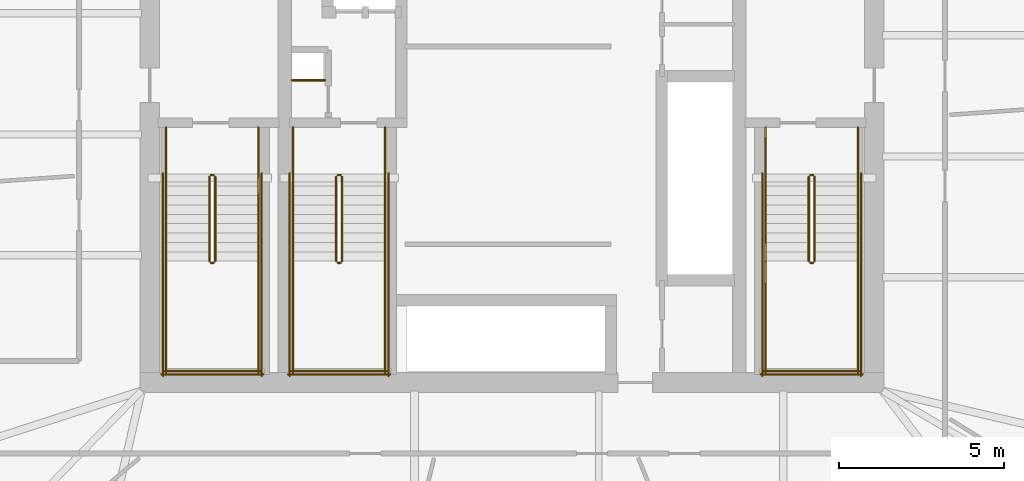
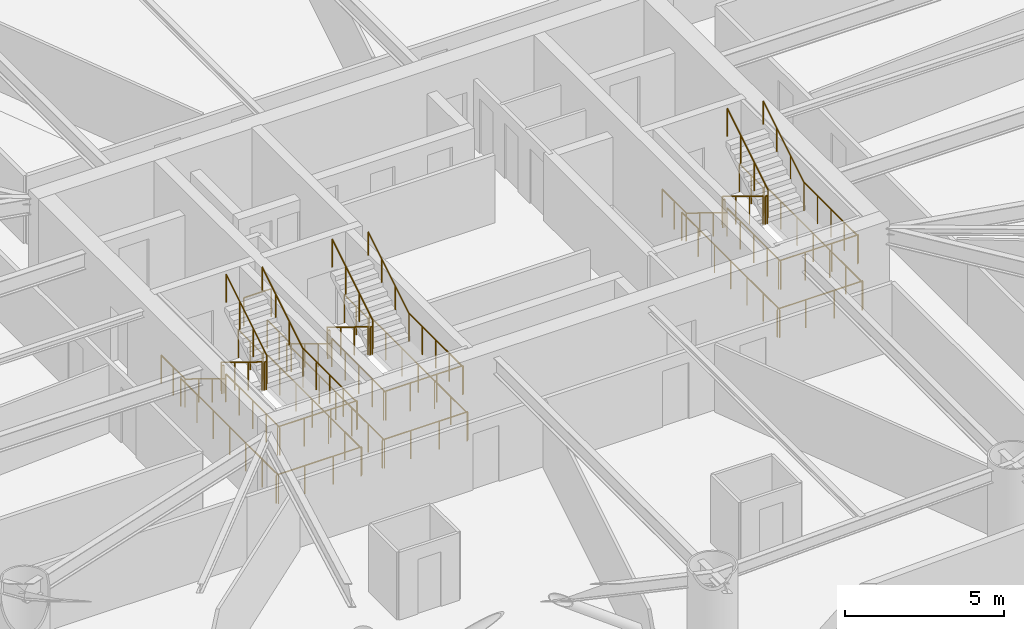
# One storey, part 24 of 25: 43 railings.
"""IFC4 building model written with IfcOpenShell, lengths in metres."""

from ifc_helpers import new_model, si_unit, direction, frame, origin, origin_2d, place, context, subcontext, project, spatial, circle, extrude, material, type_object, element, save


model = new_model("IFC4")

# Units and contexts
model_context = context("Model", 3, precision=1e-05, world=origin(), true_north=direction((0.0, 1.0)))
body_context = subcontext(model_context, "Body", "Model", "MODEL_VIEW")
ifc_project = project(units=[si_unit("LENGTHUNIT", "METRE"), si_unit("AREAUNIT", "SQUARE_METRE"), si_unit("VOLUMEUNIT", "CUBIC_METRE"), si_unit("PLANEANGLEUNIT", "RADIAN"), si_unit("MASSUNIT", "GRAM", prefix="KILO")], contexts=[model_context])

# Site, building, storey
site_placement = place(None, origin())
site = spatial("IfcSite", under=ifc_project, at=site_placement, CompositionType="ELEMENT")
building_placement = place(site_placement, origin())
building = spatial("IfcBuilding", under=site, at=building_placement, Name="Bramvorn Convention Spire", CompositionType="ELEMENT")
storey_placement = place(building_placement, frame((0.0, 0.0, 55.39990234375)))
storey = spatial("IfcBuildingStorey", under=building, at=storey_placement, Name="L11", CompositionType="ELEMENT", Elevation=55.39990234375)

# Railings
ifc_material_1 = material(Name="Painted Steel Balustrade & Guardrail", Category="steel")
railing_type_1 = type_object("IfcRailingType", Name="RL-STAIR-GUARD-1100", PredefinedType="GUARDRAIL", material=ifc_material_1)
railing_1_placement = place(storey_placement, frame((28.81005859375, 25.050048828125, 0.175048828125)))
element("IfcRailing", 1, at=railing_1_placement, inside=storey, type_object=railing_type_1, Name="L11 ST1 stair guard 1", PredefinedType="GUARDRAIL", context=body_context, shape_type="SweptSolid", body=[
    extrude(circle(Radius=0.02392578125, at=origin_2d()), frame((0.0, 0.0, 1.076171875), z_axis=(0.0, -0.852173129349, 0.523259933127), x_axis=(1.0, 0.0, 0.0)), (0.0, 0.0, 1.0), 3.009765625),
    extrude(circle(Radius=0.02099609375, at=origin_2d()), origin(), (0.0, 0.0, 1.0), 1.052001953125),
    extrude(circle(Radius=0.02099609375, at=origin_2d()), frame((0.0, -0.85498046875, 0.52490234375)), (0.0, 0.0, 1.0), 1.052001953125),
    extrude(circle(Radius=0.02099609375, at=origin_2d()), frame((0.0, -1.7099609375, 1.050048828125)), (0.0, 0.0, 1.0), 1.052001953125),
    extrude(circle(Radius=0.02099609375, at=origin_2d()), frame((0.0, -2.56494140625, 1.574951171875)), (0.0, 0.0, 1.0), 1.052001953125),
])
railing_2_placement = place(storey_placement, frame((28.860107421875, 22.43505859375, 1.75)))
element("IfcRailing", 2, at=railing_2_placement, inside=storey, type_object=railing_type_1, Name="L11 ST1 stair guard 2", PredefinedType="GUARDRAIL", context=body_context, shape_type="SweptSolid", body=[
    extrude(circle(Radius=0.02392578125, at=origin_2d()), frame((0.0, 0.0, 1.076171875), z_axis=(1.0, 0.0, 0.0), x_axis=(0.0, 1.0, 0.0)), (0.0, 0.0, 1.0), 0.079833984375),
    extrude(circle(Radius=0.02099609375, at=origin_2d()), origin(), (0.0, 0.0, 1.0), 1.052001953125),
    extrude(circle(Radius=0.02099609375, at=origin_2d()), frame((0.079833984375, 0.0, 0.0)), (0.0, 0.0, 1.0), 1.052001953125),
])
for number, where, name in (
    (3, (27.5, 22.485107421875, 1.75), "L11 ST1 stair guard 3"),
    (4, (30.300048828125, 22.485107421875, 1.75), "L11 ST1 stair guard 4"),
):
    element("IfcRailing", number, at=place(storey_placement, frame(where)), inside=storey, type_object=railing_type_1, Name=name, PredefinedType="GUARDRAIL", context=body_context, shape_type="SweptSolid", body=[
        extrude(circle(Radius=0.02392578125, at=origin_2d()), frame((0.0, 0.0, 1.076171875), z_axis=(0.0, -1.0, 0.0), x_axis=(1.0, 0.0, 0.0)), (0.0, 0.0, 1.0), 3.385009765625),
        extrude(circle(Radius=0.02099609375, at=origin_2d()), origin(), (0.0, 0.0, 1.0), 1.052001953125),
        extrude(circle(Radius=0.02099609375, at=origin_2d()), frame((0.0, -0.84619140625, 0.0)), (0.0, 0.0, 1.0), 1.052001953125),
        extrude(circle(Radius=0.02099609375, at=origin_2d()), frame((0.0, -1.6923828125, 0.0)), (0.0, 0.0, 1.0), 1.052001953125),
        extrude(circle(Radius=0.02099609375, at=origin_2d()), frame((0.0, -2.538818359375, 0.0)), (0.0, 0.0, 1.0), 1.052001953125),
        extrude(circle(Radius=0.02099609375, at=origin_2d()), frame((0.0, -3.385009765625, 0.0)), (0.0, 0.0, 1.0), 1.052001953125),
    ])
railing_3_placement = place(storey_placement, frame((27.449951171875, 19.14990234375, 1.75)))
element("IfcRailing", 5, at=railing_3_placement, inside=storey, type_object=railing_type_1, Name="L11 ST1 stair guard 5", PredefinedType="GUARDRAIL", context=body_context, shape_type="SweptSolid", body=[
    extrude(circle(Radius=0.02392578125, at=origin_2d()), frame((0.0, 0.0, 1.076171875), z_axis=(1.0, 0.0, 0.0), x_axis=(0.0, 1.0, 0.0)), (0.0, 0.0, 1.0), 2.900146484375),
    extrude(circle(Radius=0.02099609375, at=origin_2d()), origin(), (0.0, 0.0, 1.0), 1.052001953125),
    extrude(circle(Radius=0.02099609375, at=origin_2d()), frame((0.966796875, 0.0, 0.0)), (0.0, 0.0, 1.0), 1.052001953125),
    extrude(circle(Radius=0.02099609375, at=origin_2d()), frame((1.933349609375, 0.0, 0.0)), (0.0, 0.0, 1.0), 1.052001953125),
    extrude(circle(Radius=0.02099609375, at=origin_2d()), frame((2.900146484375, 0.0, 0.0)), (0.0, 0.0, 1.0), 1.052001953125),
])
railing_4_placement = place(storey_placement, frame((28.989990234375, 22.485107421875, 1.925048828125)))
element("IfcRailing", 6, at=railing_4_placement, inside=storey, type_object=railing_type_1, Name="L11 ST1 stair guard 6", PredefinedType="GUARDRAIL", context=body_context, shape_type="SweptSolid", body=[
    extrude(circle(Radius=0.02392578125, at=origin_2d()), frame((0.0, 0.0, 1.076171875), z_axis=(0.0, 0.852173129349, 0.523259933127), x_axis=(-1.0, 0.0, 0.0)), (0.0, 0.0, 1.0), 3.009765625),
    extrude(circle(Radius=0.02099609375, at=origin_2d()), origin(), (0.0, 0.0, 1.0), 1.052001953125),
    extrude(circle(Radius=0.02099609375, at=origin_2d()), frame((0.0, 0.85498046875, 0.52490234375)), (0.0, 0.0, 1.0), 1.052001953125),
    extrude(circle(Radius=0.02099609375, at=origin_2d()), frame((0.0, 1.7099609375, 1.050048828125)), (0.0, 0.0, 1.0), 1.052001953125),
    extrude(circle(Radius=0.02099609375, at=origin_2d()), frame((0.0, 2.56494140625, 1.574951171875)), (0.0, 0.0, 1.0), 1.052001953125),
])
railing_5_placement = place(storey_placement, frame((28.860107421875, 25.10009765625, 0.0)))
element("IfcRailing", 7, at=railing_5_placement, inside=storey, type_object=railing_type_1, Name="L11 ST1 stair guard 7", PredefinedType="GUARDRAIL", context=body_context, shape_type="SweptSolid", body=[
    extrude(circle(Radius=0.02392578125, at=origin_2d()), frame((0.0, 0.0, 1.076171875), z_axis=(1.0, 0.0, 0.0), x_axis=(0.0, 1.0, 0.0)), (0.0, 0.0, 1.0), 0.079833984375),
    extrude(circle(Radius=0.02099609375, at=origin_2d()), origin(), (0.0, 0.0, 1.0), 1.052001953125),
    extrude(circle(Radius=0.02099609375, at=origin_2d()), frame((0.079833984375, 0.0, 0.0)), (0.0, 0.0, 1.0), 1.052001953125),
])
for number, where, name in (
    (8, (27.5, 26.550048828125, 0.0), "L11 ST1 stair guard 8"),
    (9, (30.300048828125, 26.550048828125, 0.0), "L11 ST1 stair guard 9"),
):
    element("IfcRailing", number, at=place(storey_placement, frame(where)), inside=storey, type_object=railing_type_1, Name=name, PredefinedType="GUARDRAIL", context=body_context, shape_type="SweptSolid", body=[
        extrude(circle(Radius=0.02392578125, at=origin_2d()), frame((0.0, 0.0, 1.076171875), z_axis=(0.0, -1.0, 0.0), x_axis=(1.0, 0.0, 0.0)), (0.0, 0.0, 1.0), 1.5),
        extrude(circle(Radius=0.02099609375, at=origin_2d()), origin(), (0.0, 0.0, 1.0), 1.052001953125),
        extrude(circle(Radius=0.02099609375, at=origin_2d()), frame((0.0, -0.75, 0.0)), (0.0, 0.0, 1.0), 1.052001953125),
        extrude(circle(Radius=0.02099609375, at=origin_2d()), frame((0.0, -1.5, 0.0)), (0.0, 0.0, 1.0), 1.052001953125),
    ])
for number, where, name in (
    (10, (27.39990234375, 25.14990234375, 0.0), "L11 ST1 stair guard 10"),
    (11, (30.39990234375, 25.14990234375, 0.0), "L11 ST1 stair guard 11"),
):
    element("IfcRailing", number, at=place(storey_placement, frame(where)), inside=storey, type_object=railing_type_1, Name=name, PredefinedType="GUARDRAIL", context=body_context, shape_type="SweptSolid", body=[
        extrude(circle(Radius=0.02392578125, at=origin_2d()), frame((0.0, 0.0, 1.076171875), z_axis=(0.0, -1.0, 0.0), x_axis=(1.0, 0.0, 0.0)), (0.0, 0.0, 1.0), 6.14990234375),
        extrude(circle(Radius=0.02099609375, at=origin_2d()), origin(), (0.0, 0.0, 1.0), 1.052001953125),
        extrude(circle(Radius=0.02099609375, at=origin_2d()), frame((0.0, -1.02490234375, 0.0)), (0.0, 0.0, 1.0), 1.052001953125),
        extrude(circle(Radius=0.02099609375, at=origin_2d()), frame((0.0, -2.050048828125, 0.0)), (0.0, 0.0, 1.0), 1.052001953125),
        extrude(circle(Radius=0.02099609375, at=origin_2d()), frame((0.0, -3.074951171875, 0.0)), (0.0, 0.0, 1.0), 1.052001953125),
        extrude(circle(Radius=0.02099609375, at=origin_2d()), frame((0.0, -4.099853515625, 0.0)), (0.0, 0.0, 1.0), 1.052001953125),
        extrude(circle(Radius=0.02099609375, at=origin_2d()), frame((0.0, -5.125, 0.0)), (0.0, 0.0, 1.0), 1.052001953125),
        extrude(circle(Radius=0.02099609375, at=origin_2d()), frame((0.0, -6.14990234375, 0.0)), (0.0, 0.0, 1.0), 1.052001953125),
    ])
railing_6_placement = place(storey_placement, frame((27.35009765625, 19.050048828125, 0.0)))
element("IfcRailing", 12, at=railing_6_placement, inside=storey, type_object=railing_type_1, Name="L11 ST1 stair guard 12", PredefinedType="GUARDRAIL", context=body_context, shape_type="SweptSolid", body=[
    extrude(circle(Radius=0.02392578125, at=origin_2d()), frame((0.0, 0.0, 1.076171875), z_axis=(1.0, 0.0, 0.0), x_axis=(0.0, 1.0, 0.0)), (0.0, 0.0, 1.0), 3.099853515625),
    extrude(circle(Radius=0.02099609375, at=origin_2d()), origin(), (0.0, 0.0, 1.0), 1.052001953125),
    extrude(circle(Radius=0.02099609375, at=origin_2d()), frame((1.033203125, 0.0, 0.0)), (0.0, 0.0, 1.0), 1.052001953125),
    extrude(circle(Radius=0.02099609375, at=origin_2d()), frame((2.066650390625, 0.0, 0.0)), (0.0, 0.0, 1.0), 1.052001953125),
    extrude(circle(Radius=0.02099609375, at=origin_2d()), frame((3.099853515625, 0.0, 0.0)), (0.0, 0.0, 1.0), 1.052001953125),
])
railing_7_placement = place(storey_placement, frame((47.010009765625, 25.050048828125, 0.175048828125)))
element("IfcRailing", 13, at=railing_7_placement, inside=storey, type_object=railing_type_1, Name="L11 ST2 stair guard 1", PredefinedType="GUARDRAIL", context=body_context, shape_type="SweptSolid", body=[
    extrude(circle(Radius=0.02392578125, at=origin_2d()), frame((0.0, 0.0, 1.076171875), z_axis=(0.0, -0.852173129349, 0.523259933127), x_axis=(1.0, 0.0, 0.0)), (0.0, 0.0, 1.0), 3.009765625),
    extrude(circle(Radius=0.02099609375, at=origin_2d()), origin(), (0.0, 0.0, 1.0), 1.052001953125),
    extrude(circle(Radius=0.02099609375, at=origin_2d()), frame((0.0, -0.85498046875, 0.52490234375)), (0.0, 0.0, 1.0), 1.052001953125),
    extrude(circle(Radius=0.02099609375, at=origin_2d()), frame((0.0, -1.7099609375, 1.050048828125)), (0.0, 0.0, 1.0), 1.052001953125),
    extrude(circle(Radius=0.02099609375, at=origin_2d()), frame((0.0, -2.56494140625, 1.574951171875)), (0.0, 0.0, 1.0), 1.052001953125),
])
railing_8_placement = place(storey_placement, frame((47.06005859375, 22.43505859375, 1.75)))
element("IfcRailing", 14, at=railing_8_placement, inside=storey, type_object=railing_type_1, Name="L11 ST2 stair guard 2", PredefinedType="GUARDRAIL", context=body_context, shape_type="SweptSolid", body=[
    extrude(circle(Radius=0.02392578125, at=origin_2d()), frame((0.0, 0.0, 1.076171875), z_axis=(1.0, 0.0, 0.0), x_axis=(0.0, 1.0, 0.0)), (0.0, 0.0, 1.0), 0.079833984375),
    extrude(circle(Radius=0.02099609375, at=origin_2d()), origin(), (0.0, 0.0, 1.0), 1.052001953125),
    extrude(circle(Radius=0.02099609375, at=origin_2d()), frame((0.079833984375, 0.0, 0.0)), (0.0, 0.0, 1.0), 1.052001953125),
])
for number, where, name in (
    (15, (45.699951171875, 22.485107421875, 1.75), "L11 ST2 stair guard 3"),
    (16, (48.5, 22.485107421875, 1.75), "L11 ST2 stair guard 4"),
):
    element("IfcRailing", number, at=place(storey_placement, frame(where)), inside=storey, type_object=railing_type_1, Name=name, PredefinedType="GUARDRAIL", context=body_context, shape_type="SweptSolid", body=[
        extrude(circle(Radius=0.02392578125, at=origin_2d()), frame((0.0, 0.0, 1.076171875), z_axis=(0.0, -1.0, 0.0), x_axis=(1.0, 0.0, 0.0)), (0.0, 0.0, 1.0), 3.385009765625),
        extrude(circle(Radius=0.02099609375, at=origin_2d()), origin(), (0.0, 0.0, 1.0), 1.052001953125),
        extrude(circle(Radius=0.02099609375, at=origin_2d()), frame((0.0, -0.84619140625, 0.0)), (0.0, 0.0, 1.0), 1.052001953125),
        extrude(circle(Radius=0.02099609375, at=origin_2d()), frame((0.0, -1.6923828125, 0.0)), (0.0, 0.0, 1.0), 1.052001953125),
        extrude(circle(Radius=0.02099609375, at=origin_2d()), frame((0.0, -2.538818359375, 0.0)), (0.0, 0.0, 1.0), 1.052001953125),
        extrude(circle(Radius=0.02099609375, at=origin_2d()), frame((0.0, -3.385009765625, 0.0)), (0.0, 0.0, 1.0), 1.052001953125),
    ])
railing_9_placement = place(storey_placement, frame((45.64990234375, 19.14990234375, 1.75)))
element("IfcRailing", 17, at=railing_9_placement, inside=storey, type_object=railing_type_1, Name="L11 ST2 stair guard 5", PredefinedType="GUARDRAIL", context=body_context, shape_type="SweptSolid", body=[
    extrude(circle(Radius=0.02392578125, at=origin_2d()), frame((0.0, 0.0, 1.076171875), z_axis=(1.0, 0.0, 0.0), x_axis=(0.0, 1.0, 0.0)), (0.0, 0.0, 1.0), 2.900146484375),
    extrude(circle(Radius=0.02099609375, at=origin_2d()), origin(), (0.0, 0.0, 1.0), 1.052001953125),
    extrude(circle(Radius=0.02099609375, at=origin_2d()), frame((0.966796875, 0.0, 0.0)), (0.0, 0.0, 1.0), 1.052001953125),
    extrude(circle(Radius=0.02099609375, at=origin_2d()), frame((1.933349609375, 0.0, 0.0)), (0.0, 0.0, 1.0), 1.052001953125),
    extrude(circle(Radius=0.02099609375, at=origin_2d()), frame((2.900146484375, 0.0, 0.0)), (0.0, 0.0, 1.0), 1.052001953125),
])
railing_10_placement = place(storey_placement, frame((47.18994140625, 22.485107421875, 1.925048828125)))
element("IfcRailing", 18, at=railing_10_placement, inside=storey, type_object=railing_type_1, Name="L11 ST2 stair guard 6", PredefinedType="GUARDRAIL", context=body_context, shape_type="SweptSolid", body=[
    extrude(circle(Radius=0.02392578125, at=origin_2d()), frame((0.0, 0.0, 1.076171875), z_axis=(0.0, 0.852173129349, 0.523259933127), x_axis=(-1.0, 0.0, 0.0)), (0.0, 0.0, 1.0), 3.009765625),
    extrude(circle(Radius=0.02099609375, at=origin_2d()), origin(), (0.0, 0.0, 1.0), 1.052001953125),
    extrude(circle(Radius=0.02099609375, at=origin_2d()), frame((0.0, 0.85498046875, 0.52490234375)), (0.0, 0.0, 1.0), 1.052001953125),
    extrude(circle(Radius=0.02099609375, at=origin_2d()), frame((0.0, 1.7099609375, 1.050048828125)), (0.0, 0.0, 1.0), 1.052001953125),
    extrude(circle(Radius=0.02099609375, at=origin_2d()), frame((0.0, 2.56494140625, 1.574951171875)), (0.0, 0.0, 1.0), 1.052001953125),
])
railing_11_placement = place(storey_placement, frame((47.06005859375, 25.10009765625, 0.0)))
element("IfcRailing", 19, at=railing_11_placement, inside=storey, type_object=railing_type_1, Name="L11 ST2 stair guard 7", PredefinedType="GUARDRAIL", context=body_context, shape_type="SweptSolid", body=[
    extrude(circle(Radius=0.02392578125, at=origin_2d()), frame((0.0, 0.0, 1.076171875), z_axis=(1.0, 0.0, 0.0), x_axis=(0.0, 1.0, 0.0)), (0.0, 0.0, 1.0), 0.079833984375),
    extrude(circle(Radius=0.02099609375, at=origin_2d()), origin(), (0.0, 0.0, 1.0), 1.052001953125),
    extrude(circle(Radius=0.02099609375, at=origin_2d()), frame((0.079833984375, 0.0, 0.0)), (0.0, 0.0, 1.0), 1.052001953125),
])
for number, where, name in (
    (20, (45.699951171875, 26.550048828125, 0.0), "L11 ST2 stair guard 8"),
    (21, (48.5, 26.550048828125, 0.0), "L11 ST2 stair guard 9"),
):
    element("IfcRailing", number, at=place(storey_placement, frame(where)), inside=storey, type_object=railing_type_1, Name=name, PredefinedType="GUARDRAIL", context=body_context, shape_type="SweptSolid", body=[
        extrude(circle(Radius=0.02392578125, at=origin_2d()), frame((0.0, 0.0, 1.076171875), z_axis=(0.0, -1.0, 0.0), x_axis=(1.0, 0.0, 0.0)), (0.0, 0.0, 1.0), 1.5),
        extrude(circle(Radius=0.02099609375, at=origin_2d()), origin(), (0.0, 0.0, 1.0), 1.052001953125),
        extrude(circle(Radius=0.02099609375, at=origin_2d()), frame((0.0, -0.75, 0.0)), (0.0, 0.0, 1.0), 1.052001953125),
        extrude(circle(Radius=0.02099609375, at=origin_2d()), frame((0.0, -1.5, 0.0)), (0.0, 0.0, 1.0), 1.052001953125),
    ])
for number, where, name in (
    (22, (45.60009765625, 25.14990234375, 0.0), "L11 ST2 stair guard 10"),
    (23, (48.60009765625, 25.14990234375, 0.0), "L11 ST2 stair guard 11"),
):
    element("IfcRailing", number, at=place(storey_placement, frame(where)), inside=storey, type_object=railing_type_1, Name=name, PredefinedType="GUARDRAIL", context=body_context, shape_type="SweptSolid", body=[
        extrude(circle(Radius=0.02392578125, at=origin_2d()), frame((0.0, 0.0, 1.076171875), z_axis=(0.0, -1.0, 0.0), x_axis=(1.0, 0.0, 0.0)), (0.0, 0.0, 1.0), 6.14990234375),
        extrude(circle(Radius=0.02099609375, at=origin_2d()), origin(), (0.0, 0.0, 1.0), 1.052001953125),
        extrude(circle(Radius=0.02099609375, at=origin_2d()), frame((0.0, -1.02490234375, 0.0)), (0.0, 0.0, 1.0), 1.052001953125),
        extrude(circle(Radius=0.02099609375, at=origin_2d()), frame((0.0, -2.050048828125, 0.0)), (0.0, 0.0, 1.0), 1.052001953125),
        extrude(circle(Radius=0.02099609375, at=origin_2d()), frame((0.0, -3.074951171875, 0.0)), (0.0, 0.0, 1.0), 1.052001953125),
        extrude(circle(Radius=0.02099609375, at=origin_2d()), frame((0.0, -4.099853515625, 0.0)), (0.0, 0.0, 1.0), 1.052001953125),
        extrude(circle(Radius=0.02099609375, at=origin_2d()), frame((0.0, -5.125, 0.0)), (0.0, 0.0, 1.0), 1.052001953125),
        extrude(circle(Radius=0.02099609375, at=origin_2d()), frame((0.0, -6.14990234375, 0.0)), (0.0, 0.0, 1.0), 1.052001953125),
    ])
railing_12_placement = place(storey_placement, frame((45.550048828125, 19.050048828125, 0.0)))
element("IfcRailing", 24, at=railing_12_placement, inside=storey, type_object=railing_type_1, Name="L11 ST2 stair guard 12", PredefinedType="GUARDRAIL", context=body_context, shape_type="SweptSolid", body=[
    extrude(circle(Radius=0.02392578125, at=origin_2d()), frame((0.0, 0.0, 1.076171875), z_axis=(1.0, 0.0, 0.0), x_axis=(0.0, 1.0, 0.0)), (0.0, 0.0, 1.0), 3.099853515625),
    extrude(circle(Radius=0.02099609375, at=origin_2d()), origin(), (0.0, 0.0, 1.0), 1.052001953125),
    extrude(circle(Radius=0.02099609375, at=origin_2d()), frame((1.033203125, 0.0, 0.0)), (0.0, 0.0, 1.0), 1.052001953125),
    extrude(circle(Radius=0.02099609375, at=origin_2d()), frame((2.066650390625, 0.0, 0.0)), (0.0, 0.0, 1.0), 1.052001953125),
    extrude(circle(Radius=0.02099609375, at=origin_2d()), frame((3.099853515625, 0.0, 0.0)), (0.0, 0.0, 1.0), 1.052001953125),
])
railing_13_placement = place(storey_placement, frame((32.659912109375, 25.050048828125, 0.175048828125)))
element("IfcRailing", 25, at=railing_13_placement, inside=storey, type_object=railing_type_1, Name="L11 ST3 stair guard 1", PredefinedType="GUARDRAIL", context=body_context, shape_type="SweptSolid", body=[
    extrude(circle(Radius=0.02392578125, at=origin_2d()), frame((0.0, 0.0, 1.076171875), z_axis=(0.0, -0.852173129349, 0.523259933127), x_axis=(1.0, 0.0, 0.0)), (0.0, 0.0, 1.0), 3.009765625),
    extrude(circle(Radius=0.02099609375, at=origin_2d()), origin(), (0.0, 0.0, 1.0), 1.052001953125),
    extrude(circle(Radius=0.02099609375, at=origin_2d()), frame((0.0, -0.85498046875, 0.52490234375)), (0.0, 0.0, 1.0), 1.052001953125),
    extrude(circle(Radius=0.02099609375, at=origin_2d()), frame((0.0, -1.7099609375, 1.050048828125)), (0.0, 0.0, 1.0), 1.052001953125),
    extrude(circle(Radius=0.02099609375, at=origin_2d()), frame((0.0, -2.56494140625, 1.574951171875)), (0.0, 0.0, 1.0), 1.052001953125),
])
railing_14_placement = place(storey_placement, frame((32.7099609375, 22.43505859375, 1.75)))
element("IfcRailing", 26, at=railing_14_placement, inside=storey, type_object=railing_type_1, Name="L11 ST3 stair guard 2", PredefinedType="GUARDRAIL", context=body_context, shape_type="SweptSolid", body=[
    extrude(circle(Radius=0.02392578125, at=origin_2d()), frame((0.0, 0.0, 1.076171875), z_axis=(1.0, 0.0, 0.0), x_axis=(0.0, 1.0, 0.0)), (0.0, 0.0, 1.0), 0.080078125),
    extrude(circle(Radius=0.02099609375, at=origin_2d()), origin(), (0.0, 0.0, 1.0), 1.052001953125),
    extrude(circle(Radius=0.02099609375, at=origin_2d()), frame((0.080078125, 0.0, 0.0)), (0.0, 0.0, 1.0), 1.052001953125),
])
for number, where, name in (
    (27, (31.35009765625, 22.485107421875, 1.75), "L11 ST3 stair guard 3"),
    (28, (34.14990234375, 22.485107421875, 1.75), "L11 ST3 stair guard 4"),
):
    element("IfcRailing", number, at=place(storey_placement, frame(where)), inside=storey, type_object=railing_type_1, Name=name, PredefinedType="GUARDRAIL", context=body_context, shape_type="SweptSolid", body=[
        extrude(circle(Radius=0.02392578125, at=origin_2d()), frame((0.0, 0.0, 1.076171875), z_axis=(0.0, -1.0, 0.0), x_axis=(1.0, 0.0, 0.0)), (0.0, 0.0, 1.0), 3.385009765625),
        extrude(circle(Radius=0.02099609375, at=origin_2d()), origin(), (0.0, 0.0, 1.0), 1.052001953125),
        extrude(circle(Radius=0.02099609375, at=origin_2d()), frame((0.0, -0.84619140625, 0.0)), (0.0, 0.0, 1.0), 1.052001953125),
        extrude(circle(Radius=0.02099609375, at=origin_2d()), frame((0.0, -1.6923828125, 0.0)), (0.0, 0.0, 1.0), 1.052001953125),
        extrude(circle(Radius=0.02099609375, at=origin_2d()), frame((0.0, -2.538818359375, 0.0)), (0.0, 0.0, 1.0), 1.052001953125),
        extrude(circle(Radius=0.02099609375, at=origin_2d()), frame((0.0, -3.385009765625, 0.0)), (0.0, 0.0, 1.0), 1.052001953125),
    ])
railing_15_placement = place(storey_placement, frame((31.300048828125, 19.14990234375, 1.75)))
element("IfcRailing", 29, at=railing_15_placement, inside=storey, type_object=railing_type_1, Name="L11 ST3 stair guard 5", PredefinedType="GUARDRAIL", context=body_context, shape_type="SweptSolid", body=[
    extrude(circle(Radius=0.02392578125, at=origin_2d()), frame((0.0, 0.0, 1.076171875), z_axis=(1.0, 0.0, 0.0), x_axis=(0.0, 1.0, 0.0)), (0.0, 0.0, 1.0), 2.89990234375),
    extrude(circle(Radius=0.02099609375, at=origin_2d()), origin(), (0.0, 0.0, 1.0), 1.052001953125),
    extrude(circle(Radius=0.02099609375, at=origin_2d()), frame((0.966552734375, 0.0, 0.0)), (0.0, 0.0, 1.0), 1.052001953125),
    extrude(circle(Radius=0.02099609375, at=origin_2d()), frame((1.933349609375, 0.0, 0.0)), (0.0, 0.0, 1.0), 1.052001953125),
    extrude(circle(Radius=0.02099609375, at=origin_2d()), frame((2.89990234375, 0.0, 0.0)), (0.0, 0.0, 1.0), 1.052001953125),
])
railing_16_placement = place(storey_placement, frame((32.840087890625, 22.485107421875, 1.925048828125)))
element("IfcRailing", 30, at=railing_16_placement, inside=storey, type_object=railing_type_1, Name="L11 ST3 stair guard 6", PredefinedType="GUARDRAIL", context=body_context, shape_type="SweptSolid", body=[
    extrude(circle(Radius=0.02392578125, at=origin_2d()), frame((0.0, 0.0, 1.076171875), z_axis=(0.0, 0.852173129349, 0.523259933127), x_axis=(-1.0, 0.0, 0.0)), (0.0, 0.0, 1.0), 3.009765625),
    extrude(circle(Radius=0.02099609375, at=origin_2d()), origin(), (0.0, 0.0, 1.0), 1.052001953125),
    extrude(circle(Radius=0.02099609375, at=origin_2d()), frame((0.0, 0.85498046875, 0.52490234375)), (0.0, 0.0, 1.0), 1.052001953125),
    extrude(circle(Radius=0.02099609375, at=origin_2d()), frame((0.0, 1.7099609375, 1.050048828125)), (0.0, 0.0, 1.0), 1.052001953125),
    extrude(circle(Radius=0.02099609375, at=origin_2d()), frame((0.0, 2.56494140625, 1.574951171875)), (0.0, 0.0, 1.0), 1.052001953125),
])
railing_17_placement = place(storey_placement, frame((32.7099609375, 25.10009765625, 0.0)))
element("IfcRailing", 31, at=railing_17_placement, inside=storey, type_object=railing_type_1, Name="L11 ST3 stair guard 7", PredefinedType="GUARDRAIL", context=body_context, shape_type="SweptSolid", body=[
    extrude(circle(Radius=0.02392578125, at=origin_2d()), frame((0.0, 0.0, 1.076171875), z_axis=(1.0, 0.0, 0.0), x_axis=(0.0, 1.0, 0.0)), (0.0, 0.0, 1.0), 0.080078125),
    extrude(circle(Radius=0.02099609375, at=origin_2d()), origin(), (0.0, 0.0, 1.0), 1.052001953125),
    extrude(circle(Radius=0.02099609375, at=origin_2d()), frame((0.080078125, 0.0, 0.0)), (0.0, 0.0, 1.0), 1.052001953125),
])
for number, where, name in (
    (32, (31.35009765625, 26.550048828125, 0.0), "L11 ST3 stair guard 8"),
    (33, (34.14990234375, 26.550048828125, 0.0), "L11 ST3 stair guard 9"),
):
    element("IfcRailing", number, at=place(storey_placement, frame(where)), inside=storey, type_object=railing_type_1, Name=name, PredefinedType="GUARDRAIL", context=body_context, shape_type="SweptSolid", body=[
        extrude(circle(Radius=0.02392578125, at=origin_2d()), frame((0.0, 0.0, 1.076171875), z_axis=(0.0, -1.0, 0.0), x_axis=(1.0, 0.0, 0.0)), (0.0, 0.0, 1.0), 1.5),
        extrude(circle(Radius=0.02099609375, at=origin_2d()), origin(), (0.0, 0.0, 1.0), 1.052001953125),
        extrude(circle(Radius=0.02099609375, at=origin_2d()), frame((0.0, -0.75, 0.0)), (0.0, 0.0, 1.0), 1.052001953125),
        extrude(circle(Radius=0.02099609375, at=origin_2d()), frame((0.0, -1.5, 0.0)), (0.0, 0.0, 1.0), 1.052001953125),
    ])
for number, where, name in (
    (34, (31.25, 25.14990234375, 0.0), "L11 ST3 stair guard 10"),
    (35, (34.25, 25.14990234375, 0.0), "L11 ST3 stair guard 11"),
):
    element("IfcRailing", number, at=place(storey_placement, frame(where)), inside=storey, type_object=railing_type_1, Name=name, PredefinedType="GUARDRAIL", context=body_context, shape_type="SweptSolid", body=[
        extrude(circle(Radius=0.02392578125, at=origin_2d()), frame((0.0, 0.0, 1.076171875), z_axis=(0.0, -1.0, 0.0), x_axis=(1.0, 0.0, 0.0)), (0.0, 0.0, 1.0), 6.14990234375),
        extrude(circle(Radius=0.02099609375, at=origin_2d()), origin(), (0.0, 0.0, 1.0), 1.052001953125),
        extrude(circle(Radius=0.02099609375, at=origin_2d()), frame((0.0, -1.02490234375, 0.0)), (0.0, 0.0, 1.0), 1.052001953125),
        extrude(circle(Radius=0.02099609375, at=origin_2d()), frame((0.0, -2.050048828125, 0.0)), (0.0, 0.0, 1.0), 1.052001953125),
        extrude(circle(Radius=0.02099609375, at=origin_2d()), frame((0.0, -3.074951171875, 0.0)), (0.0, 0.0, 1.0), 1.052001953125),
        extrude(circle(Radius=0.02099609375, at=origin_2d()), frame((0.0, -4.099853515625, 0.0)), (0.0, 0.0, 1.0), 1.052001953125),
        extrude(circle(Radius=0.02099609375, at=origin_2d()), frame((0.0, -5.125, 0.0)), (0.0, 0.0, 1.0), 1.052001953125),
        extrude(circle(Radius=0.02099609375, at=origin_2d()), frame((0.0, -6.14990234375, 0.0)), (0.0, 0.0, 1.0), 1.052001953125),
    ])
railing_18_placement = place(storey_placement, frame((31.199951171875, 19.050048828125, 0.0)))
element("IfcRailing", 36, at=railing_18_placement, inside=storey, type_object=railing_type_1, Name="L11 ST3 stair guard 12", PredefinedType="GUARDRAIL", context=body_context, shape_type="SweptSolid", body=[
    extrude(circle(Radius=0.02392578125, at=origin_2d()), frame((0.0, 0.0, 1.076171875), z_axis=(1.0, 0.0, 0.0), x_axis=(0.0, 1.0, 0.0)), (0.0, 0.0, 1.0), 3.10009765625),
    extrude(circle(Radius=0.02099609375, at=origin_2d()), origin(), (0.0, 0.0, 1.0), 1.052001953125),
    extrude(circle(Radius=0.02099609375, at=origin_2d()), frame((1.033447265625, 0.0, 0.0)), (0.0, 0.0, 1.0), 1.052001953125),
    extrude(circle(Radius=0.02099609375, at=origin_2d()), frame((2.066650390625, 0.0, 0.0)), (0.0, 0.0, 1.0), 1.052001953125),
    extrude(circle(Radius=0.02099609375, at=origin_2d()), frame((3.10009765625, 0.0, 0.0)), (0.0, 0.0, 1.0), 1.052001953125),
])
railing_19_placement = place(storey_placement, frame((31.320068359375, 27.97998046875, 0.0)))
element("IfcRailing", 37, at=railing_19_placement, inside=storey, type_object=railing_type_1, Name="L11 Telecom riser shaft opening safety guardrail", PredefinedType="GUARDRAIL", context=body_context, shape_type="SweptSolid", body=[
    extrude(circle(Radius=0.02392578125, at=origin_2d()), frame((0.0, 0.0, 1.076171875), z_axis=(1.0, 0.0, 0.0), x_axis=(0.0, 1.0, 0.0)), (0.0, 0.0, 1.0), 1.0),
    extrude(circle(Radius=0.02099609375, at=origin_2d()), origin(), (0.0, 0.0, 1.0), 1.052001953125),
    extrude(circle(Radius=0.02099609375, at=origin_2d()), frame((1.0, 0.0, 0.0)), (0.0, 0.0, 1.0), 1.052001953125),
])
ifc_material_2 = material(Name="Brushed Bronze Tubular Handrail", Category="aluminium")
railing_type_2 = type_object("IfcRailingType", Name="RL-STAIR-HR-920", PredefinedType="HANDRAIL", material=ifc_material_2)
railing_20_placement = place(storey_placement, frame((27.5, 25.050048828125, 0.175048828125)))
element("IfcRailing", 38, at=railing_20_placement, inside=storey, type_object=railing_type_2, Name="L11 ST1 stair handrail 1", PredefinedType="HANDRAIL", context=body_context, shape_type="SweptSolid", body=[
    extrude(circle(Radius=0.02392578125, at=origin_2d()), frame((0.0, 0.0, 0.89599609375), z_axis=(0.0, -0.852173129349, 0.523259933127), x_axis=(1.0, 0.0, 0.0)), (0.0, 0.0, 1.0), 3.009765625),
    extrude(circle(Radius=0.02099609375, at=origin_2d()), origin(), (0.0, 0.0, 1.0), 0.871826171875),
    extrude(circle(Radius=0.02099609375, at=origin_2d()), frame((0.0, -0.85498046875, 0.52490234375)), (0.0, 0.0, 1.0), 0.871826171875),
    extrude(circle(Radius=0.02099609375, at=origin_2d()), frame((0.0, -1.7099609375, 1.050048828125)), (0.0, 0.0, 1.0), 0.871826171875),
    extrude(circle(Radius=0.02099609375, at=origin_2d()), frame((0.0, -2.56494140625, 1.574951171875)), (0.0, 0.0, 1.0), 0.871826171875),
])
railing_21_placement = place(storey_placement, frame((30.300048828125, 22.485107421875, 1.925048828125)))
element("IfcRailing", 39, at=railing_21_placement, inside=storey, type_object=railing_type_2, Name="L11 ST1 stair handrail 2", PredefinedType="HANDRAIL", context=body_context, shape_type="SweptSolid", body=[
    extrude(circle(Radius=0.02392578125, at=origin_2d()), frame((0.0, 0.0, 0.89599609375), z_axis=(0.0, 0.852173129349, 0.523259933127), x_axis=(-1.0, 0.0, 0.0)), (0.0, 0.0, 1.0), 3.009765625),
    extrude(circle(Radius=0.02099609375, at=origin_2d()), origin(), (0.0, 0.0, 1.0), 0.871826171875),
    extrude(circle(Radius=0.02099609375, at=origin_2d()), frame((0.0, 0.85498046875, 0.52490234375)), (0.0, 0.0, 1.0), 0.871826171875),
    extrude(circle(Radius=0.02099609375, at=origin_2d()), frame((0.0, 1.7099609375, 1.050048828125)), (0.0, 0.0, 1.0), 0.871826171875),
    extrude(circle(Radius=0.02099609375, at=origin_2d()), frame((0.0, 2.56494140625, 1.574951171875)), (0.0, 0.0, 1.0), 0.871826171875),
])
railing_22_placement = place(storey_placement, frame((45.699951171875, 25.050048828125, 0.175048828125)))
element("IfcRailing", 40, at=railing_22_placement, inside=storey, type_object=railing_type_2, Name="L11 ST2 stair handrail 1", PredefinedType="HANDRAIL", context=body_context, shape_type="SweptSolid", body=[
    extrude(circle(Radius=0.02392578125, at=origin_2d()), frame((0.0, 0.0, 0.89599609375), z_axis=(0.0, -0.852173129349, 0.523259933127), x_axis=(1.0, 0.0, 0.0)), (0.0, 0.0, 1.0), 3.009765625),
    extrude(circle(Radius=0.02099609375, at=origin_2d()), origin(), (0.0, 0.0, 1.0), 0.871826171875),
    extrude(circle(Radius=0.02099609375, at=origin_2d()), frame((0.0, -0.85498046875, 0.52490234375)), (0.0, 0.0, 1.0), 0.871826171875),
    extrude(circle(Radius=0.02099609375, at=origin_2d()), frame((0.0, -1.7099609375, 1.050048828125)), (0.0, 0.0, 1.0), 0.871826171875),
    extrude(circle(Radius=0.02099609375, at=origin_2d()), frame((0.0, -2.56494140625, 1.574951171875)), (0.0, 0.0, 1.0), 0.871826171875),
])
railing_23_placement = place(storey_placement, frame((48.5, 22.485107421875, 1.925048828125)))
element("IfcRailing", 41, at=railing_23_placement, inside=storey, type_object=railing_type_2, Name="L11 ST2 stair handrail 2", PredefinedType="HANDRAIL", context=body_context, shape_type="SweptSolid", body=[
    extrude(circle(Radius=0.02392578125, at=origin_2d()), frame((0.0, 0.0, 0.89599609375), z_axis=(0.0, 0.852173129349, 0.523259933127), x_axis=(-1.0, 0.0, 0.0)), (0.0, 0.0, 1.0), 3.009765625),
    extrude(circle(Radius=0.02099609375, at=origin_2d()), origin(), (0.0, 0.0, 1.0), 0.871826171875),
    extrude(circle(Radius=0.02099609375, at=origin_2d()), frame((0.0, 0.85498046875, 0.52490234375)), (0.0, 0.0, 1.0), 0.871826171875),
    extrude(circle(Radius=0.02099609375, at=origin_2d()), frame((0.0, 1.7099609375, 1.050048828125)), (0.0, 0.0, 1.0), 0.871826171875),
    extrude(circle(Radius=0.02099609375, at=origin_2d()), frame((0.0, 2.56494140625, 1.574951171875)), (0.0, 0.0, 1.0), 0.871826171875),
])
railing_24_placement = place(storey_placement, frame((31.35009765625, 25.050048828125, 0.175048828125)))
element("IfcRailing", 42, at=railing_24_placement, inside=storey, type_object=railing_type_2, Name="L11 ST3 stair handrail 1", PredefinedType="HANDRAIL", context=body_context, shape_type="SweptSolid", body=[
    extrude(circle(Radius=0.02392578125, at=origin_2d()), frame((0.0, 0.0, 0.89599609375), z_axis=(0.0, -0.852173129349, 0.523259933127), x_axis=(1.0, 0.0, 0.0)), (0.0, 0.0, 1.0), 3.009765625),
    extrude(circle(Radius=0.02099609375, at=origin_2d()), origin(), (0.0, 0.0, 1.0), 0.871826171875),
    extrude(circle(Radius=0.02099609375, at=origin_2d()), frame((0.0, -0.85498046875, 0.52490234375)), (0.0, 0.0, 1.0), 0.871826171875),
    extrude(circle(Radius=0.02099609375, at=origin_2d()), frame((0.0, -1.7099609375, 1.050048828125)), (0.0, 0.0, 1.0), 0.871826171875),
    extrude(circle(Radius=0.02099609375, at=origin_2d()), frame((0.0, -2.56494140625, 1.574951171875)), (0.0, 0.0, 1.0), 0.871826171875),
])
railing_25_placement = place(storey_placement, frame((34.14990234375, 22.485107421875, 1.925048828125)))
element("IfcRailing", 43, at=railing_25_placement, inside=storey, type_object=railing_type_2, Name="L11 ST3 stair handrail 2", PredefinedType="HANDRAIL", context=body_context, shape_type="SweptSolid", body=[
    extrude(circle(Radius=0.02392578125, at=origin_2d()), frame((0.0, 0.0, 0.89599609375), z_axis=(0.0, 0.852173129349, 0.523259933127), x_axis=(-1.0, 0.0, 0.0)), (0.0, 0.0, 1.0), 3.009765625),
    extrude(circle(Radius=0.02099609375, at=origin_2d()), origin(), (0.0, 0.0, 1.0), 0.871826171875),
    extrude(circle(Radius=0.02099609375, at=origin_2d()), frame((0.0, 0.85498046875, 0.52490234375)), (0.0, 0.0, 1.0), 0.871826171875),
    extrude(circle(Radius=0.02099609375, at=origin_2d()), frame((0.0, 1.7099609375, 1.050048828125)), (0.0, 0.0, 1.0), 0.871826171875),
    extrude(circle(Radius=0.02099609375, at=origin_2d()), frame((0.0, 2.56494140625, 1.574951171875)), (0.0, 0.0, 1.0), 0.871826171875),
])

save(model, "model.ifc")
